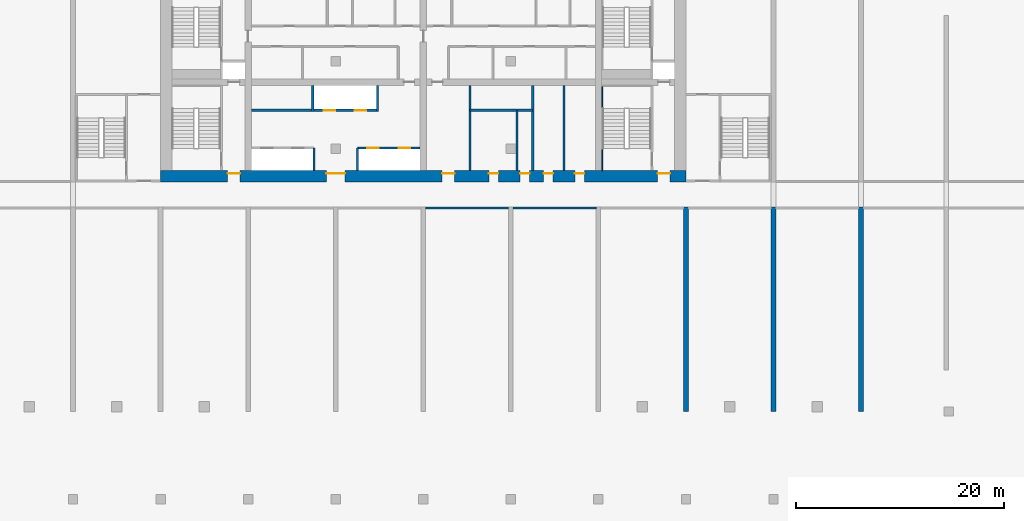
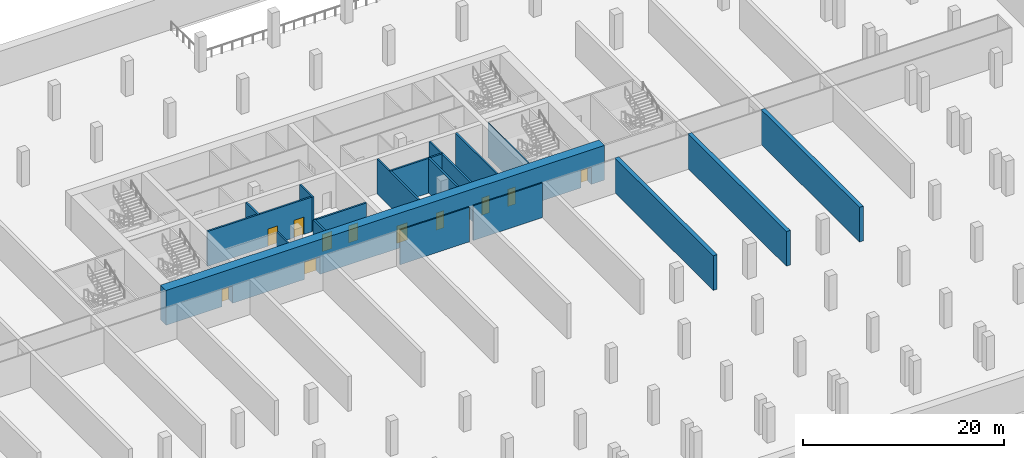
# One storey, part 5 of 12: 18 walls, 12 doors, 12 openings.
"""IFC4 building model written with IfcOpenShell, lengths in metres."""

from ifc_helpers import new_model, si_unit, direction, frame, frame_2d, origin, place, context, subcontext, project, spatial, rectangle, extrude, source, transform, mapped, material, layer, layer_set, type_object, element, fill, save


model = new_model("IFC4")

# Units and contexts
model_context = context("Model", 3, precision=1e-05, world=origin(), true_north=direction((0.0, 1.0)))
body_context = subcontext(model_context, "Body", "Model", "MODEL_VIEW")
ifc_project = project(units=[si_unit("LENGTHUNIT", "METRE"), si_unit("AREAUNIT", "SQUARE_METRE"), si_unit("VOLUMEUNIT", "CUBIC_METRE"), si_unit("PLANEANGLEUNIT", "RADIAN"), si_unit("MASSUNIT", "GRAM", prefix="KILO")], contexts=[model_context])

# Site, building, storey
site_placement = place(None, origin())
site = spatial("IfcSite", under=ifc_project, at=site_placement, CompositionType="ELEMENT")
building_placement = place(site_placement, origin())
building = spatial("IfcBuilding", under=site, at=building_placement, Name="Vanashikhar Sky Hotel", CompositionType="ELEMENT")
storey_placement = place(building_placement, frame((0.0, 0.0, -4.5)))
storey = spatial("IfcBuildingStorey", under=building, at=storey_placement, Name="B1", CompositionType="ELEMENT", Elevation=-4.5)

# Wall, openings, doors
ifc_material_1 = material(Name="Concrete M80", Category="concrete")
ifc_layer_1 = layer(ifc_material_1, 1.10009765625)
ifc_layer_set_1 = layer_set([ifc_layer_1], Name="RC core shell wall 1100 Concrete M80")
wall_type_1 = type_object("IfcWallType", Name="RC core shell wall 1100 Concrete M80", PredefinedType="SHEAR", material=ifc_layer_set_1)
shared_shape_1 = source(origin(), body_context, "Body", "SweptSolid", [
    extrude(rectangle(XDim=50.400146484375, YDim=1.10009765625, at=frame_2d((25.2001953125, 0.0))), origin(), (0.0, 0.0, 1.0), 4.219970703125),
])
wall_1_placement = place(storey_placement, frame((25.199951171875, 22.550048828125, 0.0), z_axis=(0.0, 0.0, 1.0), x_axis=(1.0, 0.0, 0.0)))
wall_1 = element("IfcWall", 1, at=wall_1_placement, inside=storey, type_object=wall_type_1, Name="KW-B1-KS", PredefinedType="SHEAR", context=body_context, shape_type="MappedRepresentation", body=[
    mapped(shared_shape_1, transform((0.0, 0.0, 0.0), scale=1.0)),
])
shared_shape_2 = source(origin(), body_context, "Body", "SweptSolid", [
    extrude(rectangle(XDim=1.800048828125, YDim=2.10009765625, at=frame_2d((0.89990234375, 1.050048828125))), frame((0.0, 0.56005859375, 0.0), z_axis=(0.0, -1.0, 0.0), x_axis=(1.0, 0.0, 0.0)), (0.0, 0.0, 1.0), 1.1201171875),
])
opening_1_placement = place(wall_1_placement, frame((15.89990234375, 0.0, 0.0)))
opening_1 = element("IfcOpeningElement", 2, at=opening_1_placement, cuts=wall_1, Name="Opening DC-3", PredefinedType="OPENING", context=body_context, shape_type="MappedRepresentation", body=[
    mapped(shared_shape_2, transform((0.0, 0.0, 0.0), scale=1.0)),
])
shared_shape_3 = source(origin(), body_context, "Body", "SweptSolid", [
    extrude(rectangle(XDim=1.199951171875, YDim=2.10009765625, at=frame_2d((0.60009765625, 1.050048828125))), frame((0.0, 0.56005859375, 0.0), z_axis=(0.0, -1.0, 0.0), x_axis=(1.0, 0.0, 0.0)), (0.0, 0.0, 1.0), 1.1201171875),
])
opening_2_placement = place(wall_1_placement, frame((27.0, 0.0, 0.0)))
opening_2 = element("IfcOpeningElement", 3, at=opening_2_placement, cuts=wall_1, Name="Opening DC-4-B", PredefinedType="OPENING", context=body_context, shape_type="MappedRepresentation", body=[
    mapped(shared_shape_3, transform((0.0, 0.0, 0.0), scale=1.0)),
])
shared_shape_4 = source(origin(), body_context, "Body", "SweptSolid", [
    extrude(rectangle(XDim=0.89990234375, YDim=2.10009765625, at=frame_2d((0.449951171875, 1.050048828125))), frame((0.0, 0.56005859375, 0.0), z_axis=(0.0, -1.0, 0.0), x_axis=(1.0, 0.0, 0.0)), (0.0, 0.0, 1.0), 1.1201171875),
])
opening_3_placement = place(wall_1_placement, frame((34.5, 0.0, 0.0)))
opening_3 = element("IfcOpeningElement", 4, at=opening_3_placement, cuts=wall_1, Name="Opening DC-4-A", PredefinedType="OPENING", context=body_context, shape_type="MappedRepresentation", body=[
    mapped(shared_shape_4, transform((0.0, 0.0, 0.0), scale=1.0)),
])
opening_4_placement = place(wall_1_placement, frame((31.5, 0.0, 0.0)))
opening_4 = element("IfcOpeningElement", 5, at=opening_4_placement, cuts=wall_1, Name="Opening DC-4-A", PredefinedType="OPENING", context=body_context, shape_type="MappedRepresentation", body=[
    mapped(shared_shape_4, transform((0.0, 0.0, 0.0), scale=1.0)),
])
opening_5_placement = place(wall_1_placement, frame((39.75, 0.0, 0.0)))
opening_5 = element("IfcOpeningElement", 6, at=opening_5_placement, cuts=wall_1, Name="Opening DC-4-A", PredefinedType="OPENING", context=body_context, shape_type="MappedRepresentation", body=[
    mapped(shared_shape_4, transform((0.0, 0.0, 0.0), scale=1.0)),
])
opening_6_placement = place(wall_1_placement, frame((36.75, 0.0, 0.0)))
opening_6 = element("IfcOpeningElement", 7, at=opening_6_placement, cuts=wall_1, Name="Opening DC-4-A", PredefinedType="OPENING", context=body_context, shape_type="MappedRepresentation", body=[
    mapped(shared_shape_4, transform((0.0, 0.0, 0.0), scale=1.0)),
])
opening_7_placement = place(wall_1_placement, frame((6.425048828125, 0.0, 0.0)))
opening_7 = element("IfcOpeningElement", 8, at=opening_7_placement, cuts=wall_1, Name="Opening DC-2", PredefinedType="OPENING", context=body_context, shape_type="MappedRepresentation", body=[
    mapped(shared_shape_3, transform((0.0, 0.0, 0.0), scale=1.0)),
])
opening_8_placement = place(wall_1_placement, frame((47.675048828125, 0.0, 0.0)))
opening_8 = element("IfcOpeningElement", 9, at=opening_8_placement, cuts=wall_1, Name="Opening DC-2", PredefinedType="OPENING", context=body_context, shape_type="MappedRepresentation", body=[
    mapped(shared_shape_3, transform((0.0, 0.0, 0.0), scale=1.0)),
])
ifc_material_2 = material(Name="Glass", Category="glass")
door_type_1 = type_object("IfcDoorType", Name="Lift lobby entrance door 1800 FD60", OperationType="NOTDEFINED", PredefinedType="DOOR", material=ifc_material_2)
shared_shape_5 = source(origin(), body_context, "Body", "SweptSolid", [
    extrude(rectangle(XDim=1.800048828125, YDim=2.10009765625, at=frame_2d((0.89990234375, 1.050048828125))), frame((0.0, 0.3251953125, 0.0), z_axis=(0.0, -1.0, 0.0), x_axis=(1.0, 0.0, 0.0)), (0.0, 0.0, 1.0), 0.050048828125),
])
door_1_placement = place(opening_1_placement, origin())
door_1 = element("IfcDoor", 10, at=door_1_placement, inside=storey, type_object=door_type_1, Name="Lift lobby entrance door 1800 FD60", OperationType="DOUBLE_DOOR_SINGLE_SWING", OverallHeight=2.10009765625, OverallWidth=1.800048828125, PredefinedType="DOOR", context=body_context, shape_type="MappedRepresentation", body=[
    mapped(shared_shape_5, transform((0.0, 0.0, 0.0), scale=1.0)),
])
fill(opening_1, door_1)
ifc_material_3 = material(Name="Steel", Category="steel")
door_type_2 = type_object("IfcDoorType", Name="Service door 1200 FD60", OperationType="NOTDEFINED", PredefinedType="DOOR", material=ifc_material_3)
shared_shape_6 = source(origin(), body_context, "Body", "SweptSolid", [
    extrude(rectangle(XDim=1.199951171875, YDim=2.10009765625, at=frame_2d((0.60009765625, 1.050048828125))), frame((0.0, 0.3251953125, 0.0), z_axis=(0.0, -1.0, 0.0), x_axis=(1.0, 0.0, 0.0)), (0.0, 0.0, 1.0), 0.050048828125),
])
door_2_placement = place(opening_2_placement, origin())
door_2 = element("IfcDoor", 11, at=door_2_placement, inside=storey, type_object=door_type_2, Name="Service door 1200 FD60", OperationType="SINGLE_SWING_LEFT", OverallHeight=2.10009765625, OverallWidth=1.199951171875, PredefinedType="DOOR", context=body_context, shape_type="MappedRepresentation", body=[
    mapped(shared_shape_6, transform((0.0, 0.0, 0.0), scale=1.0)),
])
fill(opening_2, door_2)
door_type_3 = type_object("IfcDoorType", Name="Firefighting lobby door 1200 FD120", OperationType="NOTDEFINED", PredefinedType="DOOR", material=ifc_material_3)
door_3_placement = place(opening_7_placement, origin())
door_3 = element("IfcDoor", 12, at=door_3_placement, inside=storey, type_object=door_type_3, Name="Firefighting lobby door 1200 FD120", OperationType="SINGLE_SWING_LEFT", OverallHeight=2.10009765625, OverallWidth=1.199951171875, PredefinedType="DOOR", context=body_context, shape_type="MappedRepresentation", body=[
    mapped(shared_shape_6, transform((0.0, 0.0, 0.0), scale=1.0)),
])
fill(opening_7, door_3)
door_4_placement = place(opening_8_placement, origin())
door_4 = element("IfcDoor", 13, at=door_4_placement, inside=storey, type_object=door_type_3, Name="Firefighting lobby door 1200 FD120", OperationType="SINGLE_SWING_RIGHT", OverallHeight=2.10009765625, OverallWidth=1.199951171875, PredefinedType="DOOR", context=body_context, shape_type="MappedRepresentation", body=[
    mapped(shared_shape_6, transform((0.0, 0.0, 0.0), scale=1.0)),
])
fill(opening_8, door_4)
door_type_4 = type_object("IfcDoorType", Name="Service door 900 FD60", OperationType="NOTDEFINED", PredefinedType="DOOR", material=ifc_material_3)
shared_shape_7 = source(origin(), body_context, "Body", "SweptSolid", [
    extrude(rectangle(XDim=0.89990234375, YDim=2.10009765625, at=frame_2d((0.449951171875, 1.050048828125))), frame((0.0, 0.3251953125, 0.0), z_axis=(0.0, -1.0, 0.0), x_axis=(1.0, 0.0, 0.0)), (0.0, 0.0, 1.0), 0.050048828125),
])
door_5_placement = place(opening_3_placement, origin())
door_5 = element("IfcDoor", 14, at=door_5_placement, inside=storey, type_object=door_type_4, Name="Service door 900 FD60", OperationType="SINGLE_SWING_LEFT", OverallHeight=2.10009765625, OverallWidth=0.89990234375, PredefinedType="DOOR", context=body_context, shape_type="MappedRepresentation", body=[
    mapped(shared_shape_7, transform((0.0, 0.0, 0.0), scale=1.0)),
])
fill(opening_3, door_5)
door_6_placement = place(opening_4_placement, origin())
door_6 = element("IfcDoor", 15, at=door_6_placement, inside=storey, type_object=door_type_4, Name="Service door 900 FD60", OperationType="SINGLE_SWING_RIGHT", OverallHeight=2.10009765625, OverallWidth=0.89990234375, PredefinedType="DOOR", context=body_context, shape_type="MappedRepresentation", body=[
    mapped(shared_shape_7, transform((0.0, 0.0, 0.0), scale=1.0)),
])
fill(opening_4, door_6)
door_7_placement = place(opening_5_placement, origin())
door_7 = element("IfcDoor", 16, at=door_7_placement, inside=storey, type_object=door_type_4, Name="Service door 900 FD60", OperationType="SINGLE_SWING_LEFT", OverallHeight=2.10009765625, OverallWidth=0.89990234375, PredefinedType="DOOR", context=body_context, shape_type="MappedRepresentation", body=[
    mapped(shared_shape_7, transform((0.0, 0.0, 0.0), scale=1.0)),
])
fill(opening_5, door_7)
door_8_placement = place(opening_6_placement, origin())
door_8 = element("IfcDoor", 17, at=door_8_placement, inside=storey, type_object=door_type_4, Name="Service door 900 FD60", OperationType="SINGLE_SWING_RIGHT", OverallHeight=2.10009765625, OverallWidth=0.89990234375, PredefinedType="DOOR", context=body_context, shape_type="MappedRepresentation", body=[
    mapped(shared_shape_7, transform((0.0, 0.0, 0.0), scale=1.0)),
])
fill(opening_6, door_8)

# Walls
ifc_layer_2 = layer(ifc_material_1, 0.449951171875)
ifc_layer_set_2 = layer_set([ifc_layer_2], Name="RC shear wall 450 Concrete M80")
wall_type_2 = type_object("IfcWallType", Name="RC shear wall 450 Concrete M80", PredefinedType="SHEAR", material=ifc_layer_set_2)
shared_shape_8 = source(origin(), body_context, "Body", "SweptSolid", [
    extrude(rectangle(XDim=19.60009765625, YDim=0.449951171875, at=frame_2d((9.800048828125, 0.0))), origin(), (0.0, 0.0, 1.0), 4.219970703125),
])
for number, where, z_axis, x_axis, name in (
    (18, (75.60009765625, 0.0, 0.0), (0.0, 0.0, 1.0), (0.0, 1.0, 0.0), "CW-B1-XW10-1"),
    (19, (84.0, 0.0, 0.0), (0.0, 0.0, 1.0), (0.0, 1.0, 0.0), "CW-B1-XW11-1"),
    (20, (92.39990234375, 0.0, 0.0), (0.0, 0.0, 1.0), (0.0, 1.0, 0.0), "CW-B1-XW12-1"),
):
    element("IfcWall", number, at=place(storey_placement, frame(where, z_axis=z_axis, x_axis=x_axis)), inside=storey, type_object=wall_type_2, Name=name, PredefinedType="SHEAR", context=body_context, shape_type="MappedRepresentation", body=[
        mapped(shared_shape_8, transform((0.0, 0.0, 0.0), scale=1.0)),
    ])

# Wall, openings, doors
ifc_material_4 = material(Name="Concrete M40", Category="concrete")
ifc_layer_3 = layer(ifc_material_4, 0.199951171875)
ifc_layer_set_3 = layer_set([ifc_layer_3], Name="Shaft wall 200")
wall_type_3 = type_object("IfcWallType", Name="Shaft wall 200", PredefinedType="SOLIDWALL", material=ifc_layer_set_3)
shared_shape_9 = source(origin(), body_context, "Body", "SweptSolid", [
    extrude(rectangle(XDim=6.0, YDim=0.199951171875, at=frame_2d((3.0, 0.0))), origin(), (0.0, 0.0, 1.0), 4.219970703125),
])
wall_2_placement = place(storey_placement, frame((44.10009765625, 25.300048828125, 0.0), z_axis=(0.0, 0.0, 1.0), x_axis=(1.0, 0.0, 0.0)))
wall_2 = element("IfcWall", 21, at=wall_2_placement, inside=storey, type_object=wall_type_3, Name="Shaft wall 200", PredefinedType="SOLIDWALL", context=body_context, shape_type="MappedRepresentation", body=[
    mapped(shared_shape_9, transform((0.0, 0.0, 0.0), scale=1.0)),
])
shared_shape_10 = source(origin(), body_context, "Body", "SweptSolid", [
    extrude(rectangle(XDim=1.10009765625, YDim=2.10009765625, at=frame_2d((0.550048828125, 1.050048828125))), frame((0.0, 0.10986328125, 0.0), z_axis=(0.0, -1.0, 0.0), x_axis=(1.0, 0.0, 0.0)), (0.0, 0.0, 1.0), 0.219970703125),
])
opening_9_placement = place(wall_2_placement, frame((0.949951171875, 0.0, 0.0)))
opening_9 = element("IfcOpeningElement", 22, at=opening_9_placement, cuts=wall_2, Name="Opening LD", PredefinedType="OPENING", context=body_context, shape_type="MappedRepresentation", body=[
    mapped(shared_shape_10, transform((0.0, 0.0, 0.0), scale=1.0)),
])
opening_10_placement = place(wall_2_placement, frame((3.949951171875, 0.0, 0.0)))
opening_10 = element("IfcOpeningElement", 23, at=opening_10_placement, cuts=wall_2, Name="Opening LD", PredefinedType="OPENING", context=body_context, shape_type="MappedRepresentation", body=[
    mapped(shared_shape_10, transform((0.0, 0.0, 0.0), scale=1.0)),
])
ifc_material_5 = material(Name="Stainless steel", Category="steel")
door_type_5 = type_object("IfcDoorType", Name="Lift landing door 1100", OperationType="NOTDEFINED", PredefinedType="DOOR", material=ifc_material_5)
shared_shape_11 = source(origin(), body_context, "Body", "SweptSolid", [
    extrude(rectangle(XDim=1.10009765625, YDim=2.10009765625, at=frame_2d((0.550048828125, 1.050048828125))), frame((0.0, 0.02490234375, 0.0), z_axis=(0.0, -1.0, 0.0), x_axis=(1.0, 0.0, 0.0)), (0.0, 0.0, 1.0), 0.050048828125),
])
door_9_placement = place(opening_9_placement, origin())
door_9 = element("IfcDoor", 24, at=door_9_placement, inside=storey, type_object=door_type_5, Name="Lift landing door 1100", OperationType="SLIDING_TO_LEFT", OverallHeight=2.10009765625, OverallWidth=1.10009765625, PredefinedType="DOOR", context=body_context, shape_type="MappedRepresentation", body=[
    mapped(shared_shape_11, transform((0.0, 0.0, 0.0), scale=1.0)),
])
fill(opening_9, door_9)
door_10_placement = place(opening_10_placement, origin())
door_10 = element("IfcDoor", 25, at=door_10_placement, inside=storey, type_object=door_type_5, Name="Lift landing door 1100", OperationType="SLIDING_TO_RIGHT", OverallHeight=2.10009765625, OverallWidth=1.10009765625, PredefinedType="DOOR", context=body_context, shape_type="MappedRepresentation", body=[
    mapped(shared_shape_11, transform((0.0, 0.0, 0.0), scale=1.0)),
])
fill(opening_10, door_10)

# Wall
wall_3_placement = place(storey_placement, frame((60.89990234375, 28.89990234375, 0.0), z_axis=(0.0, 0.0, 1.0), x_axis=(-1.0, 0.0, 0.0)))
element("IfcWall", 26, at=wall_3_placement, inside=storey, type_object=wall_type_3, Name="Shaft wall 200", PredefinedType="SOLIDWALL", context=body_context, shape_type="MappedRepresentation", body=[
    mapped(shared_shape_9, transform((0.0, 0.0, 0.0), scale=1.0)),
])

# Wall, openings, doors
shared_shape_12 = source(origin(), body_context, "Body", "SweptSolid", [
    extrude(rectangle(XDim=12.0, YDim=0.199951171875, at=frame_2d((6.0, 0.0))), origin(), (0.0, 0.0, 1.0), 4.219970703125),
])
wall_4_placement = place(storey_placement, frame((33.89990234375, 28.89990234375, 0.0), z_axis=(0.0, 0.0, 1.0), x_axis=(1.0, 0.0, 0.0)))
wall_4 = element("IfcWall", 27, at=wall_4_placement, inside=storey, type_object=wall_type_3, Name="Shaft wall 200", PredefinedType="SOLIDWALL", context=body_context, shape_type="MappedRepresentation", body=[
    mapped(shared_shape_12, transform((0.0, 0.0, 0.0), scale=1.0)),
])
opening_11_placement = place(wall_4_placement, frame((6.949951171875, 0.0, 0.0)))
opening_11 = element("IfcOpeningElement", 28, at=opening_11_placement, cuts=wall_4, Name="Opening LD", PredefinedType="OPENING", context=body_context, shape_type="MappedRepresentation", body=[
    mapped(shared_shape_10, transform((0.0, 0.0, 0.0), scale=1.0)),
])
opening_12_placement = place(wall_4_placement, frame((9.949951171875, 0.0, 0.0)))
opening_12 = element("IfcOpeningElement", 29, at=opening_12_placement, cuts=wall_4, Name="Opening LD", PredefinedType="OPENING", context=body_context, shape_type="MappedRepresentation", body=[
    mapped(shared_shape_10, transform((0.0, 0.0, 0.0), scale=1.0)),
])
door_11_placement = place(opening_11_placement, origin())
door_11 = element("IfcDoor", 30, at=door_11_placement, inside=storey, type_object=door_type_5, Name="Lift landing door 1100", OperationType="SLIDING_TO_LEFT", OverallHeight=2.10009765625, OverallWidth=1.10009765625, PredefinedType="DOOR", context=body_context, shape_type="MappedRepresentation", body=[
    mapped(shared_shape_11, transform((0.0, 0.0, 0.0), scale=1.0)),
])
fill(opening_11, door_11)
door_12_placement = place(opening_12_placement, origin())
door_12 = element("IfcDoor", 31, at=door_12_placement, inside=storey, type_object=door_type_5, Name="Lift landing door 1100", OperationType="SLIDING_TO_RIGHT", OverallHeight=2.10009765625, OverallWidth=1.10009765625, PredefinedType="DOOR", context=body_context, shape_type="MappedRepresentation", body=[
    mapped(shared_shape_11, transform((0.0, 0.0, 0.0), scale=1.0)),
])
fill(opening_12, door_12)

# Walls
shared_shape_13 = source(origin(), body_context, "Body", "SweptSolid", [
    extrude(rectangle(XDim=2.199951171875, YDim=0.199951171875, at=frame_2d((1.10009765625, 0.0))), origin(), (0.0, 0.0, 1.0), 4.219970703125),
])
for number, where, z_axis, x_axis, name in (
    (32, (39.89990234375, 23.10009765625, 0.0), (0.0, 0.0, 1.0), (0.0, 1.0, 0.0), "Shaft wall 200"),
    (33, (44.10009765625, 23.10009765625, 0.0), (0.0, 0.0, 1.0), (0.0, 1.0, 0.0), "Shaft wall 200"),
):
    element("IfcWall", number, at=place(storey_placement, frame(where, z_axis=z_axis, x_axis=x_axis)), inside=storey, type_object=wall_type_3, Name=name, PredefinedType="SOLIDWALL", context=body_context, shape_type="MappedRepresentation", body=[
        mapped(shared_shape_13, transform((0.0, 0.0, 0.0), scale=1.0)),
    ])
shared_shape_14 = source(origin(), body_context, "Body", "SweptSolid", [
    extrude(rectangle(XDim=2.5, YDim=0.199951171875, at=frame_2d((1.25, 0.0))), origin(), (0.0, 0.0, 1.0), 4.219970703125),
])
for number, where, z_axis, x_axis, name in (
    (34, (46.0, 28.800048828125, 0.0), (0.0, 0.0, 1.0), (0.0, 1.0, 0.0), "Shaft wall 200"),
    (35, (39.800048828125, 28.800048828125, 0.0), (0.0, 0.0, 1.0), (0.0, 1.0, 0.0), "Shaft wall 200"),
):
    element("IfcWall", number, at=place(storey_placement, frame(where, z_axis=z_axis, x_axis=x_axis)), inside=storey, type_object=wall_type_3, Name=name, PredefinedType="SOLIDWALL", context=body_context, shape_type="MappedRepresentation", body=[
        mapped(shared_shape_14, transform((0.0, 0.0, 0.0), scale=1.0)),
    ])
ifc_material_6 = material(Name="Gypsum board partition")
ifc_layer_4 = layer(ifc_material_6, 0.14990234375)
ifc_layer_set_4 = layer_set([ifc_layer_4], Name="Service partition 150")
wall_type_4 = type_object("IfcWallType", Name="Service partition 150", PredefinedType="PARTITIONING", material=ifc_layer_set_4)
shared_shape_15 = source(origin(), body_context, "Body", "SweptSolid", [
    extrude(rectangle(XDim=8.199951171875, YDim=0.199951171875, at=frame_2d((4.10009765625, 0.0))), origin(), (0.0, 0.0, 1.0), 4.219970703125),
])
for number, where, z_axis, x_axis, name in (
    (36, (54.89990234375, 23.10009765625, 0.0), (0.0, 0.0, 1.0), (0.0, 1.0, 0.0), "Service partition 150"),
    (37, (60.89990234375, 23.10009765625, 0.0), (0.0, 0.0, 1.0), (0.0, 1.0, 0.0), "Service partition 150"),
    (38, (63.89990234375, 23.10009765625, 0.0), (0.0, 0.0, 1.0), (0.0, 1.0, 0.0), "Service partition 150"),
):
    element("IfcWall", number, at=place(storey_placement, frame(where, z_axis=z_axis, x_axis=x_axis)), inside=storey, type_object=wall_type_4, Name=name, PredefinedType="PARTITIONING", context=body_context, shape_type="MappedRepresentation", body=[
        mapped(shared_shape_15, transform((0.0, 0.0, 0.0), scale=1.0)),
    ])
ifc_material_7 = material(Name="Concrete M50", Category="concrete")
ifc_layer_5 = layer(ifc_material_7, 0.10009765625)
ifc_layer_set_5 = layer_set([ifc_layer_5], Name="Stair infill wall 100")
wall_type_5 = type_object("IfcWallType", Name="Stair infill wall 100", PredefinedType="SOLIDWALL", material=ifc_layer_set_5)
shared_shape_16 = source(origin(), body_context, "Body", "SweptSolid", [
    extrude(rectangle(XDim=8.099853515625, YDim=0.10009765625, at=frame_2d((4.0498046875, 0.0))), origin(), (0.0, 0.0, 1.0), 4.219970703125),
])
wall_5_placement = place(storey_placement, frame((67.550048828125, 23.10009765625, 0.0), z_axis=(0.0, 0.0, 1.0), x_axis=(0.0, 1.0, 0.0)))
element("IfcWall", 39, at=wall_5_placement, inside=storey, type_object=wall_type_5, Name="Stair infill wall 100", PredefinedType="SOLIDWALL", context=body_context, shape_type="MappedRepresentation", body=[
    mapped(shared_shape_16, transform((0.0, 0.0, 0.0), scale=1.0)),
])
shared_shape_17 = source(origin(), body_context, "Body", "SweptSolid", [
    extrude(rectangle(XDim=5.7998046875, YDim=0.199951171875, at=frame_2d((2.89990234375, 0.0))), origin(), (0.0, 0.0, 1.0), 4.219970703125),
])
wall_6_placement = place(storey_placement, frame((59.39990234375, 23.10009765625, 0.0), z_axis=(0.0, 0.0, 1.0), x_axis=(0.0, 1.0, 0.0)))
element("IfcWall", 40, at=wall_6_placement, inside=storey, type_object=wall_type_4, Name="Service partition 150", PredefinedType="PARTITIONING", context=body_context, shape_type="MappedRepresentation", body=[
    mapped(shared_shape_17, transform((0.0, 0.0, 0.0), scale=1.0)),
])
ifc_material_8 = material(Name="Concrete M30", Category="concrete")
ifc_layer_6 = layer(ifc_material_8, 0.14990234375)
ifc_layer_set_6 = layer_set([ifc_layer_6], Name="Car park partition 150 mm")
wall_type_6 = type_object("IfcWallType", Name="Car park partition 150 mm", PredefinedType="PARTITIONING", material=ifc_layer_set_6)
shared_shape_18 = source(origin(), body_context, "Body", "SweptSolid", [
    extrude(rectangle(XDim=7.949951171875, YDim=0.14990234375, at=frame_2d((3.97509765625, 0.0))), origin(), (0.0, 0.0, 1.0), 4.219970703125),
])
wall_7_placement = place(storey_placement, frame((50.625, 19.52490234375, 0.0), z_axis=(0.0, 0.0, 1.0), x_axis=(1.0, 0.0, 0.0)))
element("IfcWall", 41, at=wall_7_placement, inside=storey, type_object=wall_type_6, Name="Car park partition", PredefinedType="PARTITIONING", context=body_context, shape_type="MappedRepresentation", body=[
    mapped(shared_shape_18, transform((0.0, 0.0, 0.0), scale=1.0)),
])
shared_shape_19 = source(origin(), body_context, "Body", "SweptSolid", [
    extrude(rectangle(XDim=7.9501953125, YDim=0.14990234375, at=frame_2d((3.97509765625, 0.0))), origin(), (0.0, 0.0, 1.0), 4.219970703125),
])
wall_8_placement = place(storey_placement, frame((59.02490234375, 19.52490234375, 0.0), z_axis=(0.0, 0.0, 1.0), x_axis=(1.0, 0.0, 0.0)))
element("IfcWall", 42, at=wall_8_placement, inside=storey, type_object=wall_type_6, Name="Car park partition", PredefinedType="PARTITIONING", context=body_context, shape_type="MappedRepresentation", body=[
    mapped(shared_shape_19, transform((0.0, 0.0, 0.0), scale=1.0)),
])

save(model, "model.ifc")
